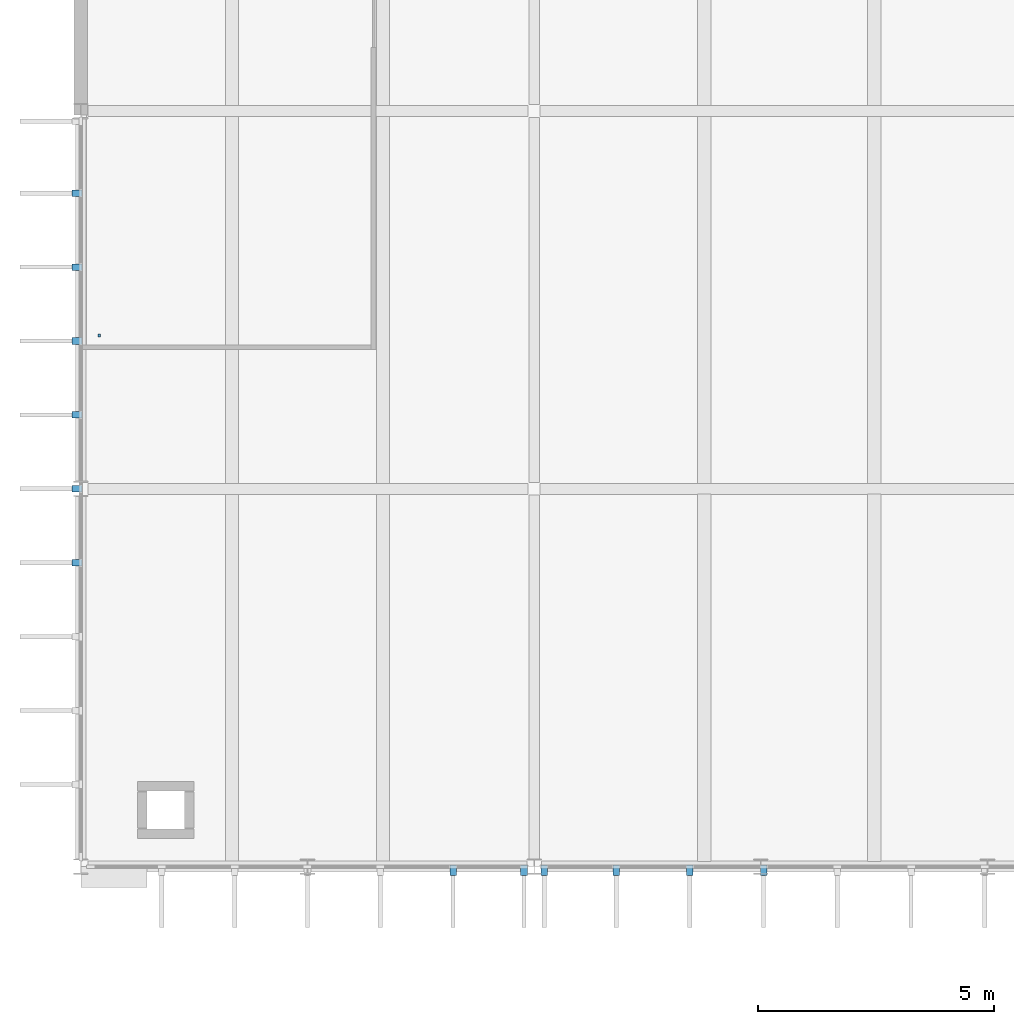
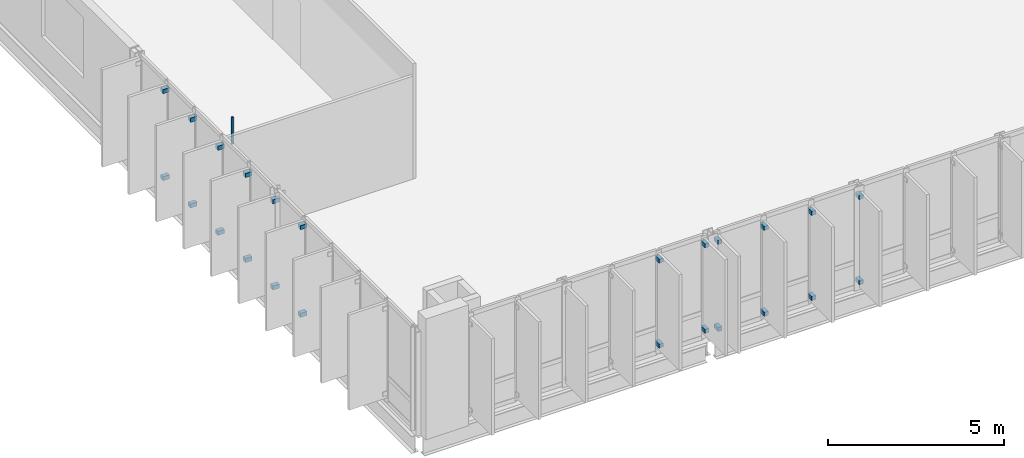
# One storey, part 15 of 22: 25 discrete accessories.
"""IFC4 building model written with IfcOpenShell, lengths in metres."""

from ifc_helpers import new_model, si_unit, direction, frame, origin, origin_2d, place, context, subcontext, project, spatial, polyline, rectangle, outline, extrude, material, type_object, element, save


model = new_model("IFC4")

# Units and contexts
model_context = context("Model", 3, precision=1e-05, world=origin(), true_north=direction((0.0, 1.0)))
body_context = subcontext(model_context, "Body", "Model", "MODEL_VIEW")
ifc_project = project(units=[si_unit("LENGTHUNIT", "METRE"), si_unit("AREAUNIT", "SQUARE_METRE"), si_unit("VOLUMEUNIT", "CUBIC_METRE"), si_unit("PLANEANGLEUNIT", "RADIAN"), si_unit("MASSUNIT", "GRAM", prefix="KILO")], contexts=[model_context])

# Site, building, storey
site_placement = place(None, origin())
site = spatial("IfcSite", under=ifc_project, at=site_placement, CompositionType="ELEMENT")
building_placement = place(site_placement, origin())
building = spatial("IfcBuilding", under=site, at=building_placement, Name="Dunescarp Central Library", CompositionType="ELEMENT")
storey_placement = place(building_placement, frame((0.0, 0.0, 27.60009765625)))
storey = spatial("IfcBuildingStorey", under=building, at=storey_placement, Name="L06", CompositionType="ELEMENT", Elevation=27.60009765625)

# Discrete accessories
ifc_material = material(Name="Stainless steel Grade 316L", Category="steel")
discrete_accessory_type = type_object("IfcDiscreteAccessoryType", Name="ARC-ACC-BRK", PredefinedType="BRACKET", material=ifc_material)
for number, where, z_axis, x_axis, name in (
    (1, (9.385009765625, 4.719970703125, 0.27685546875), (0.0, 0.0, 1.0), (0.0, -1.0, 0.0), "Fin bracket BRK-FIN-L06-0267-B"),
    (2, (9.385009765625, 4.719970703125, 3.2451171875), (0.0, 0.0, 1.0), (0.0, -1.0, 0.0), "Fin bracket BRK-FIN-L06-0267-T"),
    (3, (7.883056640625, 4.719970703125, 0.2900390625), (0.0, 0.0, 1.0), (0.0, -1.0, 0.0), "Fin bracket BRK-FIN-L06-0268-B"),
    (4, (7.883056640625, 4.719970703125, 3.2451171875), (0.0, 0.0, 1.0), (0.0, -1.0, 0.0), "Fin bracket BRK-FIN-L06-0268-T"),
    (5, (14.4580078125, 4.719970703125, 0.18994140625), (0.0, 0.0, 1.0), (0.0, -1.0, 0.0), "Fin bracket BRK-FIN-L06-0279-B"),
    (6, (14.4580078125, 4.719970703125, 3.15087890625), (0.0, 0.0, 1.0), (0.0, -1.0, 0.0), "Fin bracket BRK-FIN-L06-0279-T"),
    (7, (12.89697265625, 4.719970703125, 0.18994140625), (0.0, 0.0, 1.0), (0.0, -1.0, 0.0), "Fin bracket BRK-FIN-L06-0280-B"),
    (8, (12.89697265625, 4.719970703125, 3.14697265625), (0.0, 0.0, 1.0), (0.0, -1.0, 0.0), "Fin bracket BRK-FIN-L06-0280-T"),
    (9, (11.3359375, 4.719970703125, 0.18994140625), (0.0, 0.0, 1.0), (0.0, -1.0, 0.0), "Fin bracket BRK-FIN-L06-0281-B"),
    (10, (11.3359375, 4.719970703125, 3.1708984375), (0.0, 0.0, 1.0), (0.0, -1.0, 0.0), "Fin bracket BRK-FIN-L06-0281-T"),
    (11, (9.81494140625, 4.719970703125, 0.18994140625), (0.0, 0.0, 1.0), (0.0, -1.0, 0.0), "Fin bracket BRK-FIN-L06-0282-B"),
    (12, (9.81494140625, 4.719970703125, 3.216796875), (0.0, 0.0, 1.0), (0.0, -1.0, 0.0), "Fin bracket BRK-FIN-L06-0282-T"),
    (13, (-0.080078125, 11.235107421875, 0.18994140625), (0.0, 0.0, 1.0), (-1.0, 0.0, 0.0), "Fin bracket BRK-FIN-L06-0302-B"),
    (14, (-0.080078125, 11.235107421875, 3.23388671875), (0.0, 0.0, 1.0), (-1.0, 0.0, 0.0), "Fin bracket BRK-FIN-L06-0302-T"),
    (15, (-0.080078125, 12.800048828125, 0.18994140625), (0.0, 0.0, 1.0), (-1.0, 0.0, 0.0), "Fin bracket BRK-FIN-L06-0303-B"),
    (16, (-0.080078125, 12.800048828125, 3.18408203125), (0.0, 0.0, 1.0), (-1.0, 0.0, 0.0), "Fin bracket BRK-FIN-L06-0303-T"),
    (17, (-0.080078125, 14.364990234375, 0.18994140625), (0.0, 0.0, 1.0), (-1.0, 0.0, 0.0), "Fin bracket BRK-FIN-L06-0304-B"),
    (18, (-0.080078125, 14.364990234375, 3.15087890625), (0.0, 0.0, 1.0), (-1.0, 0.0, 0.0), "Fin bracket BRK-FIN-L06-0304-T"),
    (19, (-0.080078125, 15.929931640625, 0.18994140625), (0.0, 0.0, 1.0), (-1.0, 0.0, 0.0), "Fin bracket BRK-FIN-L06-0305-B"),
    (20, (-0.080078125, 15.929931640625, 3.14697265625), (0.0, 0.0, 1.0), (-1.0, 0.0, 0.0), "Fin bracket BRK-FIN-L06-0305-T"),
    (21, (-0.080078125, 17.4951171875, 0.18994140625), (0.0, 0.0, 1.0), (-1.0, 0.0, 0.0), "Fin bracket BRK-FIN-L06-0306-B"),
    (22, (-0.080078125, 17.4951171875, 3.1708984375), (0.0, 0.0, 1.0), (-1.0, 0.0, 0.0), "Fin bracket BRK-FIN-L06-0306-T"),
    (23, (-0.080078125, 19.06005859375, 0.18994140625), (0.0, 0.0, 1.0), (-1.0, 0.0, 0.0), "Fin bracket BRK-FIN-L06-0307-B"),
    (24, (-0.080078125, 19.06005859375, 3.216796875), (0.0, 0.0, 1.0), (-1.0, 0.0, 0.0), "Fin bracket BRK-FIN-L06-0307-T"),
):
    element("IfcDiscreteAccessory", number, at=place(storey_placement, frame(where, z_axis=z_axis, x_axis=x_axis)), inside=storey, type_object=discrete_accessory_type, Name=name, PredefinedType="BRACKET", context=body_context, shape_type="SweptSolid", body=[
        extrude(rectangle(XDim=0.219970703125, YDim=0.139892578125, at=origin_2d()), origin(), (0.0, 0.0, 1.0), 0.139892578125),
    ])
discrete_accessory_placement = place(storey_placement, frame((0.0, 0.0, 3.059814453125)))
element("IfcDiscreteAccessory", 25, at=discrete_accessory_placement, inside=storey, type_object=discrete_accessory_type, Name="L06 ceiling hanger CLG-L06-043-H1", PredefinedType="BRACKET", context=body_context, shape_type="SweptSolid", body=[
    extrude(outline(polyline([(0.360107421875, 16.02001953125), (0.419921875, 16.02001953125), (0.419921875, 16.080078125), (0.360107421875, 16.080078125), (0.360107421875, 16.02001953125)])), origin(), (0.0, 0.0, 1.0), 0.940185546875),
])

save(model, "model.ifc")
